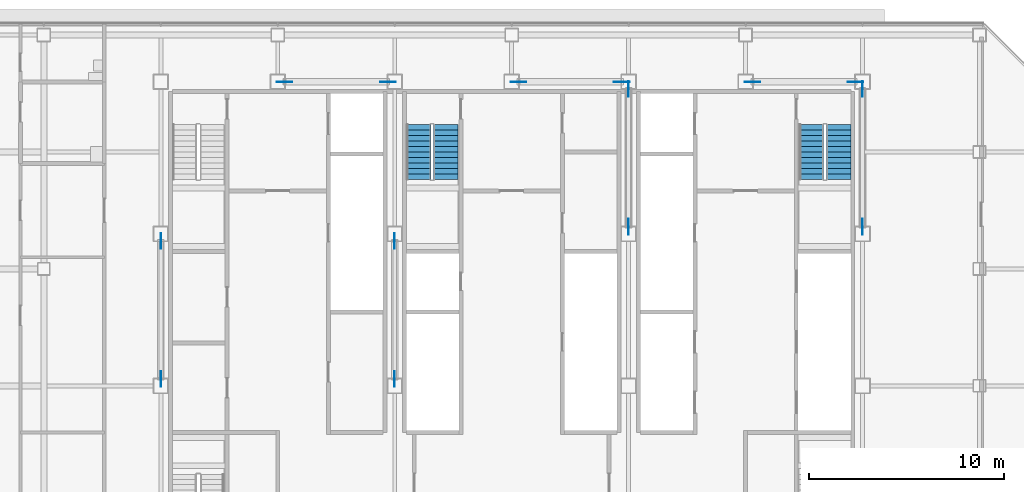
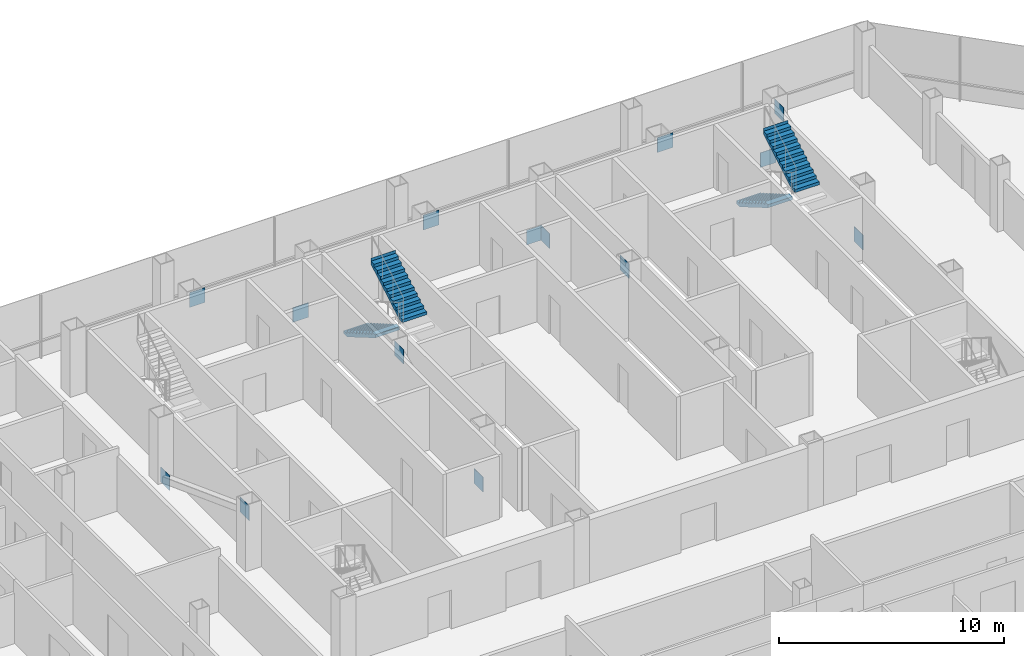
# One storey, part 25 of 27: 14 discrete accessories, 4 stair flights, 2 elements without a shape of their own.
"""IFC4 building model written with IfcOpenShell, lengths in metres."""

from ifc_helpers import new_model, si_unit, direction, frame, origin, origin_2d, place, context, subcontext, project, spatial, polyline, rectangle, outline, extrude, material, layer, layer_set, type_object, element, aggregate, save


model = new_model("IFC4")

# Units and contexts
model_context = context("Model", 3, precision=1e-05, world=origin(), true_north=direction((0.0, 1.0)))
body_context = subcontext(model_context, "Body", "Model", "MODEL_VIEW")
ifc_project = project(units=[si_unit("LENGTHUNIT", "METRE"), si_unit("AREAUNIT", "SQUARE_METRE"), si_unit("VOLUMEUNIT", "CUBIC_METRE"), si_unit("PLANEANGLEUNIT", "RADIAN"), si_unit("MASSUNIT", "GRAM", prefix="KILO")], contexts=[model_context])

# Site, building, storey
site_placement = place(None, origin())
site = spatial("IfcSite", under=ifc_project, at=site_placement, CompositionType="ELEMENT")
building_placement = place(site_placement, origin())
building = spatial("IfcBuilding", under=site, at=building_placement, Name="Sorahane Residences", CompositionType="ELEMENT")
storey_placement = place(building_placement, frame((0.0, 0.0, 195.60009765625)))
storey = spatial("IfcBuildingStorey", under=building, at=storey_placement, Name="L45", CompositionType="ELEMENT", Elevation=195.60009765625)

# Stair, stair flights
ifc_material_1 = material(Name="Concrete C40", Category="concrete")
stair_type = type_object("IfcStairType", Name="Dog-leg stair 1250 Concrete C40", PredefinedType="HALF_TURN_STAIR", material=ifc_material_1)
stair_1_placement = place(storey_placement, origin())
stair_1 = element("IfcStair", 1, at=stair_1_placement, inside=storey, type_object=stair_type, Name="L45 Stair S2", PredefinedType="HALF_TURN_STAIR")
ifc_material_2 = material(Name="Concrete C40", Category="concrete")
stair_flight_type = type_object("IfcStairFlightType", Name="Stair flight 1250 Concrete C40", PredefinedType="STRAIGHT", material=ifc_material_2)
stair_flight_1_placement = place(storey_placement, frame((39.375, 43.39990234375, 0.0), z_axis=(0.0, 0.0, 1.0), x_axis=(0.0, -1.0, 0.0)))
stair_flight_1 = element("IfcStairFlight", 2, at=stair_flight_1_placement, type_object=stair_flight_type, Name="S2 flight 1", NumberOfRisers=11, NumberOfTreads=10, PredefinedType="STRAIGHT", RiserHeight=0.163636364, TreadLength=0.28, context=body_context, shape_type="SweptSolid", body=[
    extrude(outline(polyline([(-0.00146484375, 0.0), (-0.00146484375, 0.16357421875), (0.0, 0.16357421875), (0.280029296875, 0.16357421875), (0.280029296875, 0.327392578125), (0.56005859375, 0.327392578125), (0.56005859375, 0.490966796875), (0.840087890625, 0.490966796875), (0.840087890625, 0.654541015625), (1.1201171875, 0.654541015625), (1.1201171875, 0.818115234375), (1.39990234375, 0.818115234375), (1.39990234375, 0.98193359375), (1.679931640625, 0.98193359375), (1.679931640625, 1.1455078125), (1.9599609375, 1.1455078125), (1.9599609375, 1.30908203125), (2.239990234375, 1.30908203125), (2.239990234375, 1.47265625), (2.52001953125, 1.47265625), (2.52001953125, 1.636474609375), (2.800048828125, 1.636474609375), (2.800048828125, 1.800048828125), (2.800048828125, 1.462646484375), (2.59130859375, 1.3408203125), (2.3828125, 1.218994140625), (2.17431640625, 1.09716796875), (1.965576171875, 0.97509765625), (1.757080078125, 0.853271484375), (1.548583984375, 0.7314453125), (1.340087890625, 0.609375), (1.13134765625, 0.487548828125), (0.9228515625, 0.36572265625), (0.71435546875, 0.243896484375), (0.505615234375, 0.121826171875), (0.297119140625, 0.0), (-0.00146484375, 0.0)])), frame((0.0, 0.625, 0.0), z_axis=(0.0, -1.0, 0.0), x_axis=(1.0, 0.0, 0.0)), (0.0, 0.0, 1.0), 1.25),
])
stair_flight_2_placement = place(storey_placement, frame((40.77490234375, 40.60009765625, 1.7998046875), z_axis=(0.0, 0.0, 1.0), x_axis=(0.0, 1.0, 0.0)))
stair_flight_2 = element("IfcStairFlight", 3, at=stair_flight_2_placement, type_object=stair_flight_type, Name="S2 flight 2", NumberOfRisers=11, NumberOfTreads=10, PredefinedType="STRAIGHT", RiserHeight=0.163636364, TreadLength=0.28, context=body_context, shape_type="SweptSolid", body=[
    extrude(outline(polyline([(0.0, 0.0), (0.0, 0.16357421875), (0.280029296875, 0.16357421875), (0.280029296875, 0.327392578125), (0.56005859375, 0.327392578125), (0.56005859375, 0.490966796875), (0.840087890625, 0.490966796875), (0.840087890625, 0.654541015625), (1.1201171875, 0.654541015625), (1.1201171875, 0.818115234375), (1.39990234375, 0.818115234375), (1.39990234375, 0.98193359375), (1.679931640625, 0.98193359375), (1.679931640625, 1.1455078125), (1.9599609375, 1.1455078125), (1.9599609375, 1.30908203125), (2.239990234375, 1.30908203125), (2.239990234375, 1.47265625), (2.52001953125, 1.47265625), (2.52001953125, 1.636474609375), (2.800048828125, 1.636474609375), (2.800048828125, 1.800048828125), (2.801513671875, 1.800048828125), (2.801513671875, 1.462646484375), (2.5927734375, 1.3408203125), (2.384033203125, 1.218994140625), (2.17529296875, 1.09716796875), (1.966796875, 0.97509765625), (1.758056640625, 0.853271484375), (1.54931640625, 0.7314453125), (1.340576171875, 0.609375), (1.1318359375, 0.487548828125), (0.923095703125, 0.36572265625), (0.714599609375, 0.243896484375), (0.505859375, 0.121826171875), (0.297119140625, 0.0), (0.0, 0.0)])), frame((0.0, 0.625, 0.0), z_axis=(0.0, -1.0, 0.0), x_axis=(1.0, 0.0, 0.0)), (0.0, 0.0, 1.0), 1.25),
])
aggregate(stair_1, [stair_flight_1, stair_flight_2])

stair_2_placement = place(storey_placement, origin())
stair_2 = element("IfcStair", 4, at=stair_2_placement, inside=storey, type_object=stair_type, Name="L45 Stair S3", PredefinedType="HALF_TURN_STAIR")
stair_flight_3_placement = place(storey_placement, frame((19.22509765625, 43.39990234375, 0.0), z_axis=(0.0, 0.0, 1.0), x_axis=(0.0, -1.0, 0.0)))
stair_flight_3 = element("IfcStairFlight", 5, at=stair_flight_3_placement, type_object=stair_flight_type, Name="S3 flight 1", NumberOfRisers=11, NumberOfTreads=10, PredefinedType="STRAIGHT", RiserHeight=0.163636364, TreadLength=0.28, context=body_context, shape_type="SweptSolid", body=[
    extrude(outline(polyline([(-0.00146484375, 0.0), (-0.00146484375, 0.16357421875), (0.0, 0.16357421875), (0.280029296875, 0.16357421875), (0.280029296875, 0.327392578125), (0.56005859375, 0.327392578125), (0.56005859375, 0.490966796875), (0.840087890625, 0.490966796875), (0.840087890625, 0.654541015625), (1.1201171875, 0.654541015625), (1.1201171875, 0.818115234375), (1.39990234375, 0.818115234375), (1.39990234375, 0.98193359375), (1.679931640625, 0.98193359375), (1.679931640625, 1.1455078125), (1.9599609375, 1.1455078125), (1.9599609375, 1.30908203125), (2.239990234375, 1.30908203125), (2.239990234375, 1.47265625), (2.52001953125, 1.47265625), (2.52001953125, 1.636474609375), (2.800048828125, 1.636474609375), (2.800048828125, 1.800048828125), (2.800048828125, 1.462646484375), (2.59130859375, 1.3408203125), (2.3828125, 1.218994140625), (2.17431640625, 1.09716796875), (1.965576171875, 0.97509765625), (1.757080078125, 0.853271484375), (1.548583984375, 0.7314453125), (1.340087890625, 0.609375), (1.13134765625, 0.487548828125), (0.9228515625, 0.36572265625), (0.71435546875, 0.243896484375), (0.505615234375, 0.121826171875), (0.297119140625, 0.0), (-0.00146484375, 0.0)])), frame((0.0, 0.625, 0.0), z_axis=(0.0, -1.0, 0.0), x_axis=(1.0, 0.0, 0.0)), (0.0, 0.0, 1.0), 1.25),
])
stair_flight_4_placement = place(storey_placement, frame((20.625, 40.60009765625, 1.7998046875), z_axis=(0.0, 0.0, 1.0), x_axis=(0.0, 1.0, 0.0)))
stair_flight_4 = element("IfcStairFlight", 6, at=stair_flight_4_placement, type_object=stair_flight_type, Name="S3 flight 2", NumberOfRisers=11, NumberOfTreads=10, PredefinedType="STRAIGHT", RiserHeight=0.163636364, TreadLength=0.28, context=body_context, shape_type="SweptSolid", body=[
    extrude(outline(polyline([(0.0, 0.0), (0.0, 0.16357421875), (0.280029296875, 0.16357421875), (0.280029296875, 0.327392578125), (0.56005859375, 0.327392578125), (0.56005859375, 0.490966796875), (0.840087890625, 0.490966796875), (0.840087890625, 0.654541015625), (1.1201171875, 0.654541015625), (1.1201171875, 0.818115234375), (1.39990234375, 0.818115234375), (1.39990234375, 0.98193359375), (1.679931640625, 0.98193359375), (1.679931640625, 1.1455078125), (1.9599609375, 1.1455078125), (1.9599609375, 1.30908203125), (2.239990234375, 1.30908203125), (2.239990234375, 1.47265625), (2.52001953125, 1.47265625), (2.52001953125, 1.636474609375), (2.800048828125, 1.636474609375), (2.800048828125, 1.800048828125), (2.801513671875, 1.800048828125), (2.801513671875, 1.462646484375), (2.5927734375, 1.3408203125), (2.384033203125, 1.218994140625), (2.17529296875, 1.09716796875), (1.966796875, 0.97509765625), (1.758056640625, 0.853271484375), (1.54931640625, 0.7314453125), (1.340576171875, 0.609375), (1.1318359375, 0.487548828125), (0.923095703125, 0.36572265625), (0.714599609375, 0.243896484375), (0.505859375, 0.121826171875), (0.297119140625, 0.0), (0.0, 0.0)])), frame((0.0, 0.625, 0.0), z_axis=(0.0, -1.0, 0.0), x_axis=(1.0, 0.0, 0.0)), (0.0, 0.0, 1.0), 1.25),
])
aggregate(stair_2, [stair_flight_3, stair_flight_4])

# Discrete accessories
ifc_material_3 = material(Name="Steel Q355B", Category="steel")
ifc_layer = layer(ifc_material_3, 0.02490234375)
ifc_layer_set = layer_set([ifc_layer], Name="Node plate Steel Q355B 25")
discrete_accessory_type = type_object("IfcDiscreteAccessoryType", Name="Node plate Steel Q355B 25", PredefinedType="BRACKET", material=ifc_layer_set)
for number, where, z_axis, x_axis, name in (
    (7, (6.0, 37.436767578125, -0.23876953125), (0.0, 0.0, 1.0), (0.0, 1.0, 0.0), "Node plate L45 br"),
    (8, (6.0, 30.36328125, 2.40869140625), (0.0, 0.0, 1.0), (0.0, 1.0, 0.0), "Node plate L45 br"),
    (9, (18.0, 30.36328125, -0.23876953125), (0.0, 0.0, 1.0), (0.0, 1.0, 0.0), "Node plate L45 br"),
    (10, (18.0, 37.436767578125, 2.40869140625), (0.0, 0.0, 1.0), (0.0, 1.0, 0.0), "Node plate L45 br"),
    (11, (30.0, 45.23681640625, -0.23876953125), (0.0, 0.0, 1.0), (0.0, 1.0, 0.0), "Node plate L45 br"),
    (12, (30.0, 38.1630859375, 2.40869140625), (0.0, 0.0, 1.0), (0.0, 1.0, 0.0), "Node plate L45 br"),
    (13, (42.0, 38.1630859375, -0.23876953125), (0.0, 0.0, 1.0), (0.0, 1.0, 0.0), "Node plate L45 br"),
    (14, (42.0, 45.23681640625, 2.40869140625), (0.0, 0.0, 1.0), (0.0, 1.0, 0.0), "Node plate L45 br"),
    (15, (17.647216796875, 45.60009765625, -0.2490234375), (0.0, 0.0, 1.0), (1.0, 0.0, 0.0), "Node plate L45 br"),
    (16, (29.647216796875, 45.60009765625, -0.2490234375), (0.0, 0.0, 1.0), (1.0, 0.0, 0.0), "Node plate L45 br"),
    (17, (41.647216796875, 45.60009765625, -0.2490234375), (0.0, 0.0, 1.0), (1.0, 0.0, 0.0), "Node plate L45 br"),
    (18, (12.352783203125, 45.60009765625, 2.41845703125), (0.0, 0.0, 1.0), (1.0, 0.0, 0.0), "Node plate L45 br"),
    (19, (24.352783203125, 45.60009765625, 2.41845703125), (0.0, 0.0, 1.0), (1.0, 0.0, 0.0), "Node plate L45 br"),
    (20, (36.352783203125, 45.60009765625, 2.41845703125), (0.0, 0.0, 1.0), (1.0, 0.0, 0.0), "Node plate L45 br"),
):
    element("IfcDiscreteAccessory", number, at=place(storey_placement, frame(where, z_axis=z_axis, x_axis=x_axis)), inside=storey, type_object=discrete_accessory_type, Name=name, PredefinedType="BRACKET", context=body_context, shape_type="SweptSolid", body=[
        extrude(rectangle(XDim=0.800048828125, YDim=0.02490234375, at=origin_2d()), origin(), (0.0, 0.0, 1.0), 0.800048828125),
    ])

save(model, "model.ifc")
